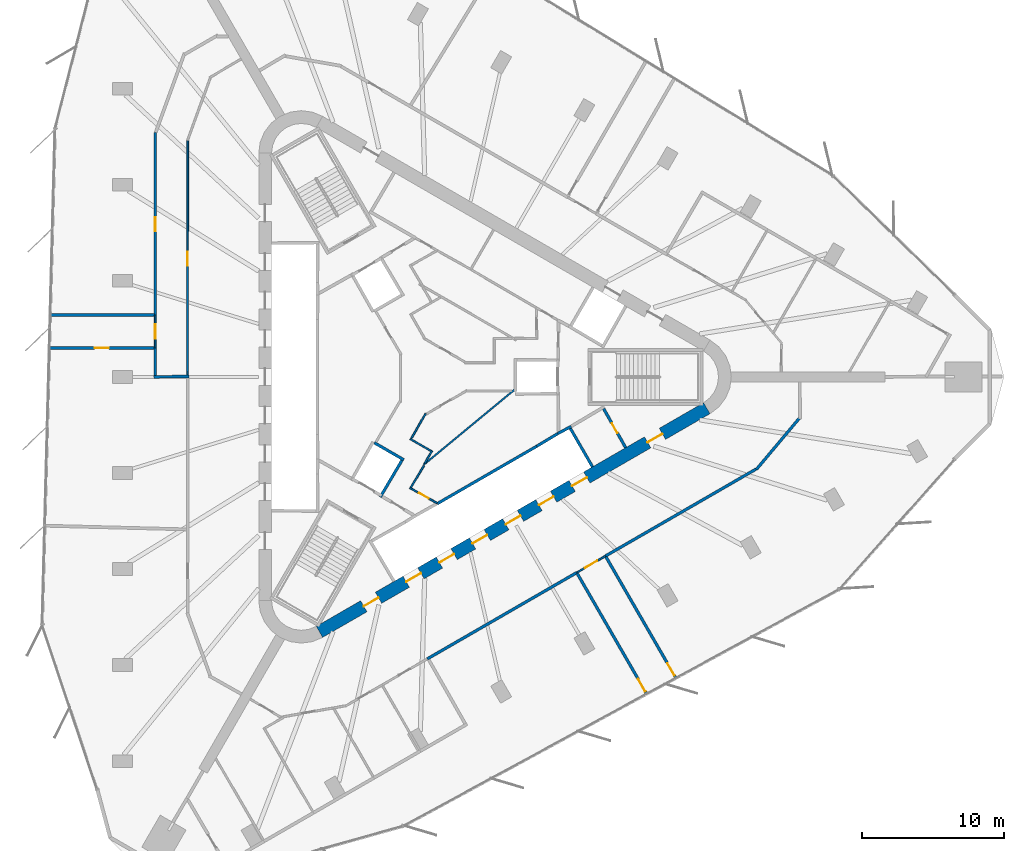
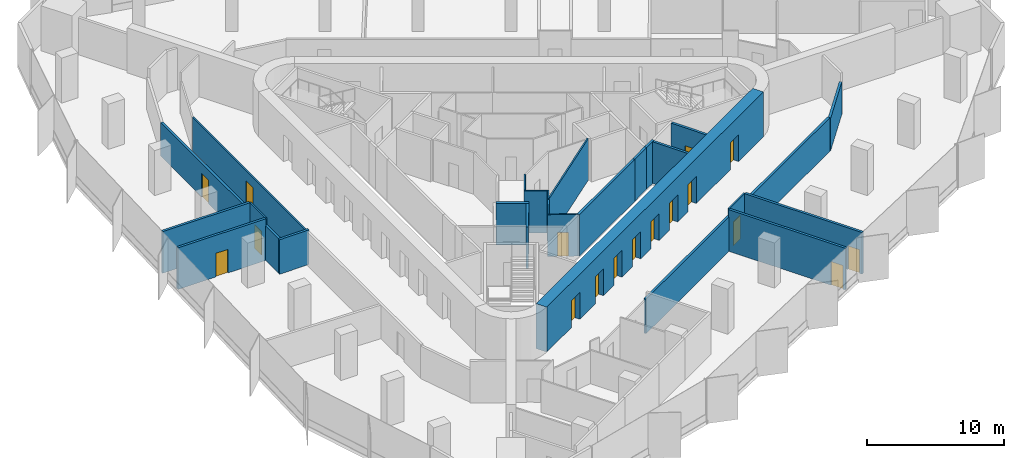
# One storey, part 9 of 14: 27 walls, 17 doors, 17 openings.
"""IFC4 building model written with IfcOpenShell, lengths in metres."""

from ifc_helpers import new_model, si_unit, direction, frame, frame_2d, origin, place, context, subcontext, project, spatial, rectangle, extrude, material, layer, layer_set, type_object, element, fill, save


model = new_model("IFC4")

# Units and contexts
model_context = context("Model", 3, precision=1e-05, world=origin(), true_north=direction((0.0, 1.0)))
body_context = subcontext(model_context, "Body", "Model", "MODEL_VIEW")
ifc_project = project(units=[si_unit("LENGTHUNIT", "METRE"), si_unit("AREAUNIT", "SQUARE_METRE"), si_unit("VOLUMEUNIT", "CUBIC_METRE"), si_unit("PLANEANGLEUNIT", "RADIAN"), si_unit("MASSUNIT", "GRAM", prefix="KILO")], contexts=[model_context])

# Site, building, storey
site_placement = place(None, origin())
site = spatial("IfcSite", under=ifc_project, at=site_placement, CompositionType="ELEMENT")
building_placement = place(site_placement, origin())
building = spatial("IfcBuilding", under=site, at=building_placement, Name="Tanit Gate Tower", CompositionType="ELEMENT")
storey_placement = place(building_placement, frame((0.0, 0.0, 241.199951171875)))
storey = spatial("IfcBuildingStorey", under=building, at=storey_placement, Name="L54", CompositionType="ELEMENT", Elevation=241.199951171875)

# Wall, openings, doors
ifc_material_1 = material(Name="Concrete C50/60", Category="concrete")
ifc_layer_1 = layer(ifc_material_1, 0.89990234375)
ifc_layer_set_1 = layer_set([ifc_layer_1], Name="CORE WALL 900 C50/60")
wall_type_1 = type_object("IfcWallType", Name="CORE WALL 900 C50/60", PredefinedType="SHEAR", material=ifc_layer_set_1)
wall_1_placement = place(storey_placement, frame((-7.824951171875, -17.969970703125, 0.0), z_axis=(0.0, 0.0, 1.0), x_axis=(0.866028369851, 0.499994862586, 0.0)))
wall_1 = element("IfcWall", 1, at=wall_1_placement, inside=storey, type_object=wall_type_1, Name="CORE WALL", PredefinedType="SHEAR", context=body_context, shape_type="SweptSolid", body=[
    extrude(rectangle(XDim=31.523193359375, YDim=0.89990234375, at=frame_2d((15.76171875, 0.0))), origin(), (0.0, 0.0, 1.0), 4.0),
])
opening_1_placement = place(wall_1_placement, frame((7.061767578125, 0.0, 0.0)))
opening_1 = element("IfcOpeningElement", 2, at=opening_1_placement, cuts=wall_1, Name="Opening LDSX1-S15", PredefinedType="OPENING", context=body_context, shape_type="SweptSolid", body=[
    extrude(rectangle(XDim=1.199951171875, YDim=2.39990234375, at=frame_2d((0.60009765625, 1.199951171875))), frame((0.0, 0.4599609375, 0.0), z_axis=(0.0, -1.0, 0.0), x_axis=(1.0, 0.0, 0.0)), (0.0, 0.0, 1.0), 0.919921875),
])
opening_2_placement = place(wall_1_placement, frame((9.76171875, 0.0, 0.0)))
opening_2 = element("IfcOpeningElement", 3, at=opening_2_placement, cuts=wall_1, Name="Opening LDSX2-S15", PredefinedType="OPENING", context=body_context, shape_type="SweptSolid", body=[
    extrude(rectangle(XDim=1.199951171875, YDim=2.39990234375, at=frame_2d((0.60009765625, 1.199951171875))), frame((0.0, 0.4599609375, 0.0), z_axis=(0.0, -1.0, 0.0), x_axis=(1.0, 0.0, 0.0)), (0.0, 0.0, 1.0), 0.919921875),
])
opening_3_placement = place(wall_1_placement, frame((12.461669921875, 0.0, 0.0)))
opening_3 = element("IfcOpeningElement", 4, at=opening_3_placement, cuts=wall_1, Name="Opening LDSX3-S15", PredefinedType="OPENING", context=body_context, shape_type="SweptSolid", body=[
    extrude(rectangle(XDim=1.199951171875, YDim=2.39990234375, at=frame_2d((0.60009765625, 1.199951171875))), frame((0.0, 0.4599609375, 0.0), z_axis=(0.0, -1.0, 0.0), x_axis=(1.0, 0.0, 0.0)), (0.0, 0.0, 1.0), 0.919921875),
])
opening_4_placement = place(wall_1_placement, frame((15.16162109375, 0.0, 0.0)))
opening_4 = element("IfcOpeningElement", 5, at=opening_4_placement, cuts=wall_1, Name="Opening LDSX4-S15", PredefinedType="OPENING", context=body_context, shape_type="SweptSolid", body=[
    extrude(rectangle(XDim=1.199951171875, YDim=2.39990234375, at=frame_2d((0.60009765625, 1.199951171875))), frame((0.0, 0.4599609375, 0.0), z_axis=(0.0, -1.0, 0.0), x_axis=(1.0, 0.0, 0.0)), (0.0, 0.0, 1.0), 0.919921875),
])
opening_5_placement = place(wall_1_placement, frame((17.861572265625, 0.0, 0.0)))
opening_5 = element("IfcOpeningElement", 6, at=opening_5_placement, cuts=wall_1, Name="Opening LDSV1-S15", PredefinedType="OPENING", context=body_context, shape_type="SweptSolid", body=[
    extrude(rectangle(XDim=1.199951171875, YDim=2.39990234375, at=frame_2d((0.60009765625, 1.199951171875))), frame((0.0, 0.4599609375, 0.0), z_axis=(0.0, -1.0, 0.0), x_axis=(1.0, 0.0, 0.0)), (0.0, 0.0, 1.0), 0.919921875),
])
opening_6_placement = place(wall_1_placement, frame((20.561767578125, 0.0, 0.0)))
opening_6 = element("IfcOpeningElement", 7, at=opening_6_placement, cuts=wall_1, Name="Opening LDSV2-S15", PredefinedType="OPENING", context=body_context, shape_type="SweptSolid", body=[
    extrude(rectangle(XDim=1.199951171875, YDim=2.39990234375, at=frame_2d((0.60009765625, 1.199951171875))), frame((0.0, 0.4599609375, 0.0), z_axis=(0.0, -1.0, 0.0), x_axis=(1.0, 0.0, 0.0)), (0.0, 0.0, 1.0), 0.919921875),
])
opening_7_placement = place(wall_1_placement, frame((26.711669921875, 0.0, 0.0)))
opening_7 = element("IfcOpeningElement", 8, at=opening_7_placement, cuts=wall_1, Name="Opening F12-S15-S1", PredefinedType="OPENING", context=body_context, shape_type="SweptSolid", body=[
    extrude(rectangle(XDim=1.199951171875, YDim=2.39990234375, at=frame_2d((0.60009765625, 1.199951171875))), frame((0.0, 0.4599609375, 0.0), z_axis=(0.0, -1.0, 0.0), x_axis=(1.0, 0.0, 0.0)), (0.0, 0.0, 1.0), 0.919921875),
])
opening_8_placement = place(wall_1_placement, frame((3.611572265625, 0.0, 0.0)))
opening_8 = element("IfcOpeningElement", 9, at=opening_8_placement, cuts=wall_1, Name="Opening F12-S15-FL3", PredefinedType="OPENING", context=body_context, shape_type="SweptSolid", body=[
    extrude(rectangle(XDim=1.199951171875, YDim=2.39990234375, at=frame_2d((0.60009765625, 1.199951171875))), frame((0.0, 0.4599609375, 0.0), z_axis=(0.0, -1.0, 0.0), x_axis=(1.0, 0.0, 0.0)), (0.0, 0.0, 1.0), 0.919921875),
])
ifc_material_2 = material(Name="Fire-rated steel door leaf", Category="steel")
door_type_1 = type_object("IfcDoorType", Name="INT-DOOR-FIRE-LOBBY-1200", OperationType="NOTDEFINED", PredefinedType="USERDEFINED", material=ifc_material_2)
door_1_placement = place(opening_7_placement, origin())
door_1 = element("IfcDoor", 10, at=door_1_placement, inside=storey, type_object=door_type_1, Name="Door F12-S15-S1", ObjectType="FIRE DOOR", OperationType="SINGLE_SWING_LEFT", OverallHeight=2.39990234375, OverallWidth=1.199951171875, PredefinedType="USERDEFINED", context=body_context, shape_type="SweptSolid", body=[
    extrude(rectangle(XDim=1.199951171875, YDim=2.39990234375, at=frame_2d((0.60009765625, 1.199951171875))), frame((0.0, 0.02490234375, 0.0), z_axis=(0.0, -1.0, 0.0), x_axis=(1.0, 0.0, 0.0)), (0.0, 0.0, 1.0), 0.050048828125),
])
fill(opening_7, door_1)
door_2_placement = place(opening_8_placement, origin())
door_2 = element("IfcDoor", 11, at=door_2_placement, inside=storey, type_object=door_type_1, Name="Door F12-S15-FL3", ObjectType="FIRE DOOR", OperationType="SINGLE_SWING_RIGHT", OverallHeight=2.39990234375, OverallWidth=1.199951171875, PredefinedType="USERDEFINED", context=body_context, shape_type="SweptSolid", body=[
    extrude(rectangle(XDim=1.199951171875, YDim=2.39990234375, at=frame_2d((0.60009765625, 1.199951171875))), frame((0.0, 0.02490234375, 0.0), z_axis=(0.0, -1.0, 0.0), x_axis=(1.0, 0.0, 0.0)), (0.0, 0.0, 1.0), 0.050048828125),
])
fill(opening_8, door_2)
ifc_material_3 = material(Name="Stainless steel sliding door leaf", Category="steel")
door_type_2 = type_object("IfcDoorType", Name="INT-DOOR-LANDING-1200", OperationType="NOTDEFINED", PredefinedType="USERDEFINED", material=ifc_material_3)
door_3_placement = place(opening_1_placement, origin())
door_3 = element("IfcDoor", 12, at=door_3_placement, inside=storey, type_object=door_type_2, Name="Door LDSX1-S15", ObjectType="LANDING DOOR", OperationType="SLIDING_TO_LEFT", OverallHeight=2.39990234375, OverallWidth=1.199951171875, PredefinedType="USERDEFINED", context=body_context, shape_type="SweptSolid", body=[
    extrude(rectangle(XDim=1.199951171875, YDim=2.39990234375, at=frame_2d((0.60009765625, 1.199951171875))), frame((0.0, 0.02490234375, 0.0), z_axis=(0.0, -1.0, 0.0), x_axis=(1.0, 0.0, 0.0)), (0.0, 0.0, 1.0), 0.050048828125),
])
fill(opening_1, door_3)
door_4_placement = place(opening_2_placement, origin())
door_4 = element("IfcDoor", 13, at=door_4_placement, inside=storey, type_object=door_type_2, Name="Door LDSX2-S15", ObjectType="LANDING DOOR", OperationType="SLIDING_TO_LEFT", OverallHeight=2.39990234375, OverallWidth=1.199951171875, PredefinedType="USERDEFINED", context=body_context, shape_type="SweptSolid", body=[
    extrude(rectangle(XDim=1.199951171875, YDim=2.39990234375, at=frame_2d((0.60009765625, 1.199951171875))), frame((0.0, 0.02490234375, 0.0), z_axis=(0.0, -1.0, 0.0), x_axis=(1.0, 0.0, 0.0)), (0.0, 0.0, 1.0), 0.050048828125),
])
fill(opening_2, door_4)
door_5_placement = place(opening_3_placement, origin())
door_5 = element("IfcDoor", 14, at=door_5_placement, inside=storey, type_object=door_type_2, Name="Door LDSX3-S15", ObjectType="LANDING DOOR", OperationType="SLIDING_TO_LEFT", OverallHeight=2.39990234375, OverallWidth=1.199951171875, PredefinedType="USERDEFINED", context=body_context, shape_type="SweptSolid", body=[
    extrude(rectangle(XDim=1.199951171875, YDim=2.39990234375, at=frame_2d((0.60009765625, 1.199951171875))), frame((0.0, 0.02490234375, 0.0), z_axis=(0.0, -1.0, 0.0), x_axis=(1.0, 0.0, 0.0)), (0.0, 0.0, 1.0), 0.050048828125),
])
fill(opening_3, door_5)
door_6_placement = place(opening_4_placement, origin())
door_6 = element("IfcDoor", 15, at=door_6_placement, inside=storey, type_object=door_type_2, Name="Door LDSX4-S15", ObjectType="LANDING DOOR", OperationType="SLIDING_TO_LEFT", OverallHeight=2.39990234375, OverallWidth=1.199951171875, PredefinedType="USERDEFINED", context=body_context, shape_type="SweptSolid", body=[
    extrude(rectangle(XDim=1.199951171875, YDim=2.39990234375, at=frame_2d((0.60009765625, 1.199951171875))), frame((0.0, 0.02490234375, 0.0), z_axis=(0.0, -1.0, 0.0), x_axis=(1.0, 0.0, 0.0)), (0.0, 0.0, 1.0), 0.050048828125),
])
fill(opening_4, door_6)
door_7_placement = place(opening_5_placement, origin())
door_7 = element("IfcDoor", 16, at=door_7_placement, inside=storey, type_object=door_type_2, Name="Door LDSV1-S15", ObjectType="LANDING DOOR", OperationType="SLIDING_TO_LEFT", OverallHeight=2.39990234375, OverallWidth=1.199951171875, PredefinedType="USERDEFINED", context=body_context, shape_type="SweptSolid", body=[
    extrude(rectangle(XDim=1.199951171875, YDim=2.39990234375, at=frame_2d((0.60009765625, 1.199951171875))), frame((0.0, 0.02490234375, 0.0), z_axis=(0.0, -1.0, 0.0), x_axis=(1.0, 0.0, 0.0)), (0.0, 0.0, 1.0), 0.050048828125),
])
fill(opening_5, door_7)
door_8_placement = place(opening_6_placement, origin())
door_8 = element("IfcDoor", 17, at=door_8_placement, inside=storey, type_object=door_type_2, Name="Door LDSV2-S15", ObjectType="LANDING DOOR", OperationType="SLIDING_TO_LEFT", OverallHeight=2.39990234375, OverallWidth=1.199951171875, PredefinedType="USERDEFINED", context=body_context, shape_type="SweptSolid", body=[
    extrude(rectangle(XDim=1.199951171875, YDim=2.39990234375, at=frame_2d((0.60009765625, 1.199951171875))), frame((0.0, 0.02490234375, 0.0), z_axis=(0.0, -1.0, 0.0), x_axis=(1.0, 0.0, 0.0)), (0.0, 0.0, 1.0), 0.050048828125),
])
fill(opening_6, door_8)

# Wall, opening, door
ifc_material_4 = material(Name="Fire-rated gypsum board partition")
ifc_layer_2 = layer(ifc_material_4, 0.199951171875)
ifc_layer_set_2 = layer_set([ifc_layer_2], Name="INT-WALL-COMPARTMENT")
wall_type_2 = type_object("IfcWallType", Name="INT-WALL-COMPARTMENT", PredefinedType="PARTITIONING", material=ifc_layer_set_2)
wall_2_placement = place(storey_placement, frame((13.758056640625, -4.989501953125, 0.0), z_axis=(0.0, 0.0, 1.0), x_axis=(-0.491993409184, 0.87059892334, 0.0)))
wall_2 = element("IfcWall", 18, at=wall_2_placement, inside=storey, type_object=wall_type_2, Name="Wall Compartment W058", PredefinedType="PARTITIONING", context=body_context, shape_type="SweptSolid", body=[
    extrude(rectangle(XDim=3.150146484375, YDim=0.199951171875, at=frame_2d((1.5751953125, 0.0))), origin(), (0.0, 0.0, 1.0), 3.699951171875),
])
opening_9_placement = place(wall_2_placement, frame((1.175048828125, 0.0, 0.0)))
opening_9 = element("IfcOpeningElement", 19, at=opening_9_placement, cuts=wall_2, Name="Opening R08-S15-17", PredefinedType="OPENING", context=body_context, shape_type="SweptSolid", body=[
    extrude(rectangle(XDim=0.800048828125, YDim=2.10009765625, at=frame_2d((0.39990234375, 1.050048828125))), frame((0.0, 0.10986328125, 0.0), z_axis=(0.0, -1.0, 0.0), x_axis=(1.0, 0.0, 0.0)), (0.0, 0.0, 1.0), 0.219970703125),
])
ifc_material_5 = material(Name="Timber door leaf", Category="wood")
door_type_3 = type_object("IfcDoorType", Name="INT-DOOR-RISER-800", OperationType="NOTDEFINED", PredefinedType="USERDEFINED", material=ifc_material_5)
door_9_placement = place(opening_9_placement, origin())
door_9 = element("IfcDoor", 20, at=door_9_placement, inside=storey, type_object=door_type_3, Name="Door R08-S15-17", ObjectType="FIRE DOOR", OperationType="SINGLE_SWING_RIGHT", OverallHeight=2.10009765625, OverallWidth=0.800048828125, PredefinedType="USERDEFINED", context=body_context, shape_type="SweptSolid", body=[
    extrude(rectangle(XDim=0.800048828125, YDim=2.10009765625, at=frame_2d((0.39990234375, 1.050048828125))), frame((0.0, 0.02490234375, 0.0), z_axis=(0.0, -1.0, 0.0), x_axis=(1.0, 0.0, 0.0)), (0.0, 0.0, 1.0), 0.050048828125),
])
fill(opening_9, door_9)

# Wall
wall_3_placement = place(storey_placement, frame((-19.5, -0.001220703125, 0.0), z_axis=(0.0, 0.0, 1.0), x_axis=(0.999915662945, 0.012987185857, 0.0)))
element("IfcWall", 21, at=wall_3_placement, inside=storey, type_object=wall_type_2, Name="Wall Compartment W092", PredefinedType="PARTITIONING", context=body_context, shape_type="SweptSolid", body=[
    extrude(rectangle(XDim=2.500244140625, YDim=0.199951171875, at=frame_2d((1.25, 0.0))), origin(), (0.0, 0.0, 1.0), 3.070068359375),
])

# Wall, opening, door
wall_4_placement = place(storey_placement, frame((-19.39990234375, 17.228271484375, 0.0), z_axis=(0.0, 0.0, 1.0), x_axis=(0.0, -1.0, 0.0)))
wall_4 = element("IfcWall", 22, at=wall_4_placement, inside=storey, type_object=wall_type_2, Name="Wall Compartment W094", PredefinedType="PARTITIONING", context=body_context, shape_type="SweptSolid", body=[
    extrude(rectangle(XDim=12.878173828125, YDim=0.199951171875, at=frame_2d((6.43896484375, 0.0))), origin(), (0.0, 0.0, 1.0), 2.97998046875),
])
opening_10_placement = place(wall_4_placement, frame((5.97900390625, 0.0, 0.0)))
opening_10 = element("IfcOpeningElement", 23, at=opening_10_placement, cuts=wall_4, Name="Opening F10-S15-33", PredefinedType="OPENING", context=body_context, shape_type="SweptSolid", body=[
    extrude(rectangle(XDim=1.0, YDim=2.10009765625, at=frame_2d((0.5, 1.050048828125))), frame((0.0, 0.10986328125, 0.0), z_axis=(0.0, -1.0, 0.0), x_axis=(1.0, 0.0, 0.0)), (0.0, 0.0, 1.0), 0.219970703125),
])
ifc_material_6 = material(Name="Fire-rated steel door leaf", Category="steel")
door_type_4 = type_object("IfcDoorType", Name="INT-DOOR-FIRE-1000", OperationType="NOTDEFINED", PredefinedType="USERDEFINED", material=ifc_material_6)
door_10_placement = place(opening_10_placement, origin())
door_10 = element("IfcDoor", 24, at=door_10_placement, inside=storey, type_object=door_type_4, Name="Door F10-S15-33", ObjectType="FIRE DOOR", OperationType="SINGLE_SWING_RIGHT", OverallHeight=2.10009765625, OverallWidth=1.0, PredefinedType="USERDEFINED", context=body_context, shape_type="SweptSolid", body=[
    extrude(rectangle(XDim=1.0, YDim=2.10009765625, at=frame_2d((0.5, 1.050048828125))), frame((0.0, 0.02490234375, 0.0), z_axis=(0.0, -1.0, 0.0), x_axis=(1.0, 0.0, 0.0)), (0.0, 0.0, 1.0), 0.050048828125),
])
fill(opening_10, door_10)

# Walls
wall_5_placement = place(storey_placement, frame((-19.39990234375, 2.050048828125, 0.0), z_axis=(0.0, 0.0, 1.0), x_axis=(0.0, -1.0, 0.0)))
element("IfcWall", 25, at=wall_5_placement, inside=storey, type_object=wall_type_2, Name="Wall Compartment W093", PredefinedType="PARTITIONING", context=body_context, shape_type="SweptSolid", body=[
    extrude(rectangle(XDim=1.949951171875, YDim=0.199951171875, at=frame_2d((0.97509765625, 0.0))), origin(), (0.0, 0.0, 1.0), 3.070068359375),
])
wall_6_placement = place(storey_placement, frame((22.968017578125, -6.5244140625, 0.0), z_axis=(0.0, 0.0, 1.0), x_axis=(0.642764400317, 0.766063917493, 0.0)))
element("IfcWall", 26, at=wall_6_placement, inside=storey, type_object=wall_type_2, Name="Wall Compartment W115", PredefinedType="PARTITIONING", context=body_context, shape_type="SweptSolid", body=[
    extrude(rectangle(XDim=4.740234375, YDim=0.199951171875, at=frame_2d((2.3701171875, 0.0))), origin(), (0.0, 0.0, 1.0), 2.880126953125),
])
wall_7_placement = place(storey_placement, frame((-0.222900390625, -19.8740234375, 0.0), z_axis=(0.0, 0.0, 1.0), x_axis=(0.866025366729, 0.500000064182, 0.0)))
element("IfcWall", 27, at=wall_7_placement, inside=storey, type_object=wall_type_2, Name="Wall Compartment W117", PredefinedType="PARTITIONING", context=body_context, shape_type="SweptSolid", body=[
    extrude(rectangle(XDim=12.18017578125, YDim=0.199951171875, at=frame_2d((6.090087890625, 0.0))), origin(), (0.0, 0.0, 1.0), 3.070068359375),
])
wall_8_placement = place(storey_placement, frame((12.317138671875, -12.634033203125, 0.0), z_axis=(0.0, 0.0, 1.0), x_axis=(0.866028561818, 0.499994530085, 0.0)))
element("IfcWall", 28, at=wall_8_placement, inside=storey, type_object=wall_type_2, Name="Wall Compartment W116", PredefinedType="PARTITIONING", context=body_context, shape_type="SweptSolid", body=[
    extrude(rectangle(XDim=12.272705078125, YDim=0.199951171875, at=frame_2d((6.13623046875, 0.0))), origin(), (0.0, 0.0, 1.0), 2.97998046875),
])

# Wall, opening, door
wall_9_placement = place(storey_placement, frame((-26.858154296875, 2.030029296875, 0.0), z_axis=(0.0, 0.0, 1.0), x_axis=(1.0, 0.0, 0.0)))
wall_9 = element("IfcWall", 29, at=wall_9_placement, inside=storey, type_object=wall_type_2, Name="Wall Compartment W123", PredefinedType="PARTITIONING", context=body_context, shape_type="SweptSolid", body=[
    extrude(rectangle(XDim=7.398193359375, YDim=0.199951171875, at=frame_2d((3.69921875, 0.0))), origin(), (0.0, 0.0, 1.0), 3.699951171875),
])
opening_11_placement = place(wall_9_placement, frame((3.198974609375, 0.0, 0.0)))
opening_11 = element("IfcOpeningElement", 30, at=opening_11_placement, cuts=wall_9, Name="Opening F10-S15-32", PredefinedType="OPENING", context=body_context, shape_type="SweptSolid", body=[
    extrude(rectangle(XDim=1.0, YDim=2.10009765625, at=frame_2d((0.5, 1.050048828125))), frame((0.0, 0.10986328125, 0.0), z_axis=(0.0, -1.0, 0.0), x_axis=(1.0, 0.0, 0.0)), (0.0, 0.0, 1.0), 0.219970703125),
])
door_11_placement = place(opening_11_placement, origin())
door_11 = element("IfcDoor", 31, at=door_11_placement, inside=storey, type_object=door_type_4, Name="Door F10-S15-32", ObjectType="FIRE DOOR", OperationType="SINGLE_SWING_LEFT", OverallHeight=2.10009765625, OverallWidth=1.0, PredefinedType="USERDEFINED", context=body_context, shape_type="SweptSolid", body=[
    extrude(rectangle(XDim=1.0, YDim=2.10009765625, at=frame_2d((0.5, 1.050048828125))), frame((0.0, 0.02490234375, 0.0), z_axis=(0.0, -1.0, 0.0), x_axis=(1.0, 0.0, 0.0)), (0.0, 0.0, 1.0), 0.050048828125),
])
fill(opening_11, door_11)

# Wall
wall_10_placement = place(storey_placement, frame((-19.4599609375, 4.3701171875, 0.0), z_axis=(0.0, 0.0, 1.0), x_axis=(-1.0, 0.0, 0.0)))
element("IfcWall", 32, at=wall_10_placement, inside=storey, type_object=wall_type_2, Name="Wall Compartment W124", PredefinedType="PARTITIONING", context=body_context, shape_type="SweptSolid", body=[
    extrude(rectangle(XDim=7.33740234375, YDim=0.199951171875, at=frame_2d((3.668701171875, 0.0))), origin(), (0.0, 0.0, 1.0), 3.699951171875),
])

# Wall, opening, door
wall_11_placement = place(storey_placement, frame((17.296630859375, -21.218505859375, 0.0), z_axis=(0.0, 0.0, 1.0), x_axis=(-0.500009542791, 0.866019894181, 0.0)))
wall_11 = element("IfcWall", 33, at=wall_11_placement, inside=storey, type_object=wall_type_2, Name="Wall Compartment W142", PredefinedType="PARTITIONING", context=body_context, shape_type="SweptSolid", body=[
    extrude(rectangle(XDim=9.864013671875, YDim=0.199951171875, at=frame_2d((4.93212890625, 0.0))), origin(), (0.0, 0.0, 1.0), 3.699951171875),
])
opening_12_placement = place(wall_11_placement, frame((0.199951171875, 0.0, 0.0)))
opening_12 = element("IfcOpeningElement", 34, at=opening_12_placement, cuts=wall_11, Name="Opening F10-S15-37", PredefinedType="OPENING", context=body_context, shape_type="SweptSolid", body=[
    extrude(rectangle(XDim=1.0, YDim=2.10009765625, at=frame_2d((0.5, 1.050048828125))), frame((0.0, 0.10986328125, 0.0), z_axis=(0.0, -1.0, 0.0), x_axis=(1.0, 0.0, 0.0)), (0.0, 0.0, 1.0), 0.219970703125),
])
door_12_placement = place(opening_12_placement, origin())
door_12 = element("IfcDoor", 35, at=door_12_placement, inside=storey, type_object=door_type_4, Name="Door F10-S15-37", ObjectType="FIRE DOOR", OperationType="SINGLE_SWING_LEFT", OverallHeight=2.10009765625, OverallWidth=1.0, PredefinedType="USERDEFINED", context=body_context, shape_type="SweptSolid", body=[
    extrude(rectangle(XDim=1.0, YDim=2.10009765625, at=frame_2d((0.5, 1.050048828125))), frame((0.0, 0.02490234375, 0.0), z_axis=(0.0, -1.0, 0.0), x_axis=(1.0, 0.0, 0.0)), (0.0, 0.0, 1.0), 0.050048828125),
])
fill(opening_12, door_12)

wall_12_placement = place(storey_placement, frame((10.338134765625, -13.845947265625, 0.0), z_axis=(0.0, 0.0, 1.0), x_axis=(0.499993357938, -0.866029238547, 0.0)))
wall_12 = element("IfcWall", 36, at=wall_12_placement, inside=storey, type_object=wall_type_2, Name="Wall Compartment W143", PredefinedType="PARTITIONING", context=body_context, shape_type="SweptSolid", body=[
    extrude(rectangle(XDim=9.803466796875, YDim=0.199951171875, at=frame_2d((4.90185546875, 0.0))), origin(), (0.0, 0.0, 1.0), 3.699951171875),
])
opening_13_placement = place(wall_12_placement, frame((8.603515625, 0.0, 0.0)))
opening_13 = element("IfcOpeningElement", 37, at=opening_13_placement, cuts=wall_12, Name="Opening F10-S15-38", PredefinedType="OPENING", context=body_context, shape_type="SweptSolid", body=[
    extrude(rectangle(XDim=1.0, YDim=2.10009765625, at=frame_2d((0.5, 1.050048828125))), frame((0.0, 0.10986328125, 0.0), z_axis=(0.0, -1.0, 0.0), x_axis=(1.0, 0.0, 0.0)), (0.0, 0.0, 1.0), 0.219970703125),
])
door_13_placement = place(opening_13_placement, origin())
door_13 = element("IfcDoor", 38, at=door_13_placement, inside=storey, type_object=door_type_4, Name="Door F10-S15-38", ObjectType="FIRE DOOR", OperationType="SINGLE_SWING_LEFT", OverallHeight=2.10009765625, OverallWidth=1.0, PredefinedType="USERDEFINED", context=body_context, shape_type="SweptSolid", body=[
    extrude(rectangle(XDim=1.0, YDim=2.10009765625, at=frame_2d((0.5, 1.050048828125))), frame((0.0, 0.02490234375, 0.0), z_axis=(0.0, -1.0, 0.0), x_axis=(1.0, 0.0, 0.0)), (0.0, 0.0, 1.0), 0.050048828125),
])
fill(opening_13, door_13)

# Walls
ifc_material_7 = material(Name="Gypsum board partition")
ifc_layer_3 = layer(ifc_material_7, 0.1201171875)
ifc_layer_set_3 = layer_set([ifc_layer_3], Name="INT-WALL-PARTITION")
wall_type_3 = type_object("IfcWallType", Name="INT-WALL-PARTITION", PredefinedType="PARTITIONING", material=ifc_layer_set_3)
wall_13_placement = place(storey_placement, frame((5.935546875, -0.893798828125, 0.0), z_axis=(0.0, 0.0, 1.0), x_axis=(-0.770832870475, -0.637037428881, 0.0)))
element("IfcWall", 39, at=wall_13_placement, inside=storey, type_object=wall_type_3, Name="Wall Partition W068", PredefinedType="PARTITIONING", context=body_context, shape_type="SweptSolid", body=[
    extrude(rectangle(XDim=8.331787109375, YDim=0.1201171875, at=frame_2d((4.166015625, 0.0))), origin(), (0.0, 0.0, 1.0), 3.699951171875),
])
wall_14_placement = place(storey_placement, frame((-0.41064453125, -6.111328125, 0.0), z_axis=(0.0, 0.0, 1.0), x_axis=(0.49986229611, 0.866104892567, 0.0)))
element("IfcWall", 40, at=wall_14_placement, inside=storey, type_object=wall_type_3, Name="Wall Partition W069", PredefinedType="PARTITIONING", context=body_context, shape_type="SweptSolid", body=[
    extrude(rectangle(XDim=1.057861328125, YDim=0.1201171875, at=frame_2d((0.52880859375, 0.0))), origin(), (0.0, 0.0, 1.0), 3.699951171875),
])
wall_15_placement = place(storey_placement, frame((-1.43603515625, -4.3671875, 0.0), z_axis=(0.0, 0.0, 1.0), x_axis=(0.866087547558, -0.499892348375, 0.0)))
element("IfcWall", 41, at=wall_15_placement, inside=storey, type_object=wall_type_3, Name="Wall Partition W070", PredefinedType="PARTITIONING", context=body_context, shape_type="SweptSolid", body=[
    extrude(rectangle(XDim=1.699951171875, YDim=0.1201171875, at=frame_2d((0.85009765625, 0.0))), origin(), (0.0, 0.0, 1.0), 3.699951171875),
])
wall_16_placement = place(storey_placement, frame((-0.337646484375, -2.5849609375, 0.0), z_axis=(0.0, 0.0, 1.0), x_axis=(-0.50002743572, -0.866009563185, 0.0)))
element("IfcWall", 42, at=wall_16_placement, inside=storey, type_object=wall_type_3, Name="Wall Partition W071", PredefinedType="PARTITIONING", context=body_context, shape_type="SweptSolid", body=[
    extrude(rectangle(XDim=2.03271484375, YDim=0.1201171875, at=frame_2d((1.016357421875, 0.0))), origin(), (0.0, 0.0, 1.0), 3.699951171875),
])

# Wall, opening, door
wall_17_placement = place(storey_placement, frame((-1.464111328125, -7.81591796875, 0.0), z_axis=(0.0, 0.0, 1.0), x_axis=(0.871880202732, -0.489719217597, 0.0)))
wall_17 = element("IfcWall", 43, at=wall_17_placement, inside=storey, type_object=wall_type_3, Name="Wall Partition W074", PredefinedType="PARTITIONING", context=body_context, shape_type="SweptSolid", body=[
    extrude(rectangle(XDim=2.224365234375, YDim=0.1201171875, at=frame_2d((1.1123046875, 0.0))), origin(), (0.0, 0.0, 1.0), 3.699951171875),
])
opening_14_placement = place(wall_17_placement, frame((0.7421875, 0.0, 0.0)))
opening_14 = element("IfcOpeningElement", 44, at=opening_14_placement, cuts=wall_17, Name="Opening R08-S15-12", PredefinedType="OPENING", context=body_context, shape_type="SweptSolid", body=[
    extrude(rectangle(XDim=0.800048828125, YDim=2.10009765625, at=frame_2d((0.39990234375, 1.050048828125))), frame((0.0, 0.070068359375, 0.0), z_axis=(0.0, -1.0, 0.0), x_axis=(1.0, 0.0, 0.0)), (0.0, 0.0, 1.0), 0.14013671875),
])
door_14_placement = place(opening_14_placement, origin())
door_14 = element("IfcDoor", 45, at=door_14_placement, inside=storey, type_object=door_type_3, Name="Door R08-S15-12", ObjectType="FIRE DOOR", OperationType="SINGLE_SWING_LEFT", OverallHeight=2.10009765625, OverallWidth=0.800048828125, PredefinedType="USERDEFINED", context=body_context, shape_type="SweptSolid", body=[
    extrude(rectangle(XDim=0.800048828125, YDim=2.10009765625, at=frame_2d((0.39990234375, 1.050048828125))), frame((0.0, 0.02490234375, 0.0), z_axis=(0.0, -1.0, 0.0), x_axis=(1.0, 0.0, 0.0)), (0.0, 0.0, 1.0), 0.050048828125),
])
fill(opening_14, door_14)

# Wall
wall_18_placement = place(storey_placement, frame((-0.46337890625, -6.256591796875, 0.0), z_axis=(0.0, 0.0, 1.0), x_axis=(-0.512528878122, -0.858669988466, 0.0)))
element("IfcWall", 46, at=wall_18_placement, inside=storey, type_object=wall_type_3, Name="Wall Partition W075", PredefinedType="PARTITIONING", context=body_context, shape_type="SweptSolid", body=[
    extrude(rectangle(XDim=1.7900390625, YDim=0.1201171875, at=frame_2d((0.89501953125, 0.0))), origin(), (0.0, 0.0, 1.0), 3.699951171875),
])

# Wall, opening, door
wall_19_placement = place(storey_placement, frame((-17.1298828125, 0.0, 0.0), z_axis=(0.0, 0.0, 1.0), x_axis=(0.001787542932, 0.999998402344, 0.0)))
wall_19 = element("IfcWall", 47, at=wall_19_placement, inside=storey, type_object=wall_type_3, Name="Wall Partition W090", PredefinedType="PARTITIONING", context=body_context, shape_type="SweptSolid", body=[
    extrude(rectangle(XDim=16.66259765625, YDim=0.1201171875, at=frame_2d((8.331298828125, 0.0))), origin(), (0.0, 0.0, 1.0), 2.97998046875),
])
opening_15_placement = place(wall_19_placement, frame((7.831298828125, 0.0, 0.0)))
opening_15 = element("IfcOpeningElement", 48, at=opening_15_placement, cuts=wall_19, Name="Opening D10-S15-18", PredefinedType="OPENING", context=body_context, shape_type="SweptSolid", body=[
    extrude(rectangle(XDim=1.0, YDim=2.10009765625, at=frame_2d((0.5, 1.050048828125))), frame((0.0, 0.070068359375, 0.0), z_axis=(0.0, -1.0, 0.0), x_axis=(1.0, 0.0, 0.0)), (0.0, 0.0, 1.0), 0.14013671875),
])
ifc_material_8 = material(Name="Timber door leaf", Category="wood")
door_type_5 = type_object("IfcDoorType", Name="INT-DOOR-SINGLE-1000", OperationType="NOTDEFINED", PredefinedType="NOTDEFINED", material=ifc_material_8)
door_15_placement = place(opening_15_placement, origin())
door_15 = element("IfcDoor", 49, at=door_15_placement, inside=storey, type_object=door_type_5, Name="Door D10-S15-18", OperationType="SINGLE_SWING_RIGHT", OverallHeight=2.10009765625, OverallWidth=1.0, PredefinedType="NOTDEFINED", context=body_context, shape_type="SweptSolid", body=[
    extrude(rectangle(XDim=1.0, YDim=2.10009765625, at=frame_2d((0.5, 1.050048828125))), frame((0.0, 0.02490234375, 0.0), z_axis=(0.0, -1.0, 0.0), x_axis=(1.0, 0.0, 0.0)), (0.0, 0.0, 1.0), 0.050048828125),
])
fill(opening_15, door_15)

wall_20_placement = place(storey_placement, frame((-19.39990234375, 4.35009765625, 0.0), z_axis=(0.0, 0.0, 1.0), x_axis=(0.0, -1.0, 0.0)))
wall_20 = element("IfcWall", 50, at=wall_20_placement, inside=storey, type_object=wall_type_3, Name="Wall Partition W091", PredefinedType="PARTITIONING", context=body_context, shape_type="SweptSolid", body=[
    extrude(rectangle(XDim=2.300048828125, YDim=0.1201171875, at=frame_2d((1.14990234375, 0.0))), origin(), (0.0, 0.0, 1.0), 3.699951171875),
])
opening_16_placement = place(wall_20_placement, frame((0.64990234375, 0.0, 0.0)))
opening_16 = element("IfcOpeningElement", 51, at=opening_16_placement, cuts=wall_20, Name="Opening D10-S15-19", PredefinedType="OPENING", context=body_context, shape_type="SweptSolid", body=[
    extrude(rectangle(XDim=1.0, YDim=2.10009765625, at=frame_2d((0.5, 1.050048828125))), frame((0.0, 0.070068359375, 0.0), z_axis=(0.0, -1.0, 0.0), x_axis=(1.0, 0.0, 0.0)), (0.0, 0.0, 1.0), 0.14013671875),
])
door_16_placement = place(opening_16_placement, origin())
door_16 = element("IfcDoor", 52, at=door_16_placement, inside=storey, type_object=door_type_5, Name="Door D10-S15-19", OperationType="SINGLE_SWING_LEFT", OverallHeight=2.10009765625, OverallWidth=1.0, PredefinedType="NOTDEFINED", context=body_context, shape_type="SweptSolid", body=[
    extrude(rectangle(XDim=1.0, YDim=2.10009765625, at=frame_2d((0.5, 1.050048828125))), frame((0.0, 0.02490234375, 0.0), z_axis=(0.0, -1.0, 0.0), x_axis=(1.0, 0.0, 0.0)), (0.0, 0.0, 1.0), 0.050048828125),
])
fill(opening_16, door_16)

wall_21_placement = place(storey_placement, frame((12.317138671875, -12.634033203125, 0.0), z_axis=(0.0, 0.0, 1.0), x_axis=(-0.86602648383, -0.499998129301, 0.0)))
wall_21 = element("IfcWall", 53, at=wall_21_placement, inside=storey, type_object=wall_type_3, Name="Wall Partition W113", PredefinedType="PARTITIONING", context=body_context, shape_type="SweptSolid", body=[
    extrude(rectangle(XDim=2.2998046875, YDim=0.1201171875, at=frame_2d((1.14990234375, 0.0))), origin(), (0.0, 0.0, 1.0), 3.699951171875),
])
opening_17_placement = place(wall_21_placement, frame((0.64990234375, 0.0, 0.0)))
opening_17 = element("IfcOpeningElement", 54, at=opening_17_placement, cuts=wall_21, Name="Opening D10-S15-21", PredefinedType="OPENING", context=body_context, shape_type="SweptSolid", body=[
    extrude(rectangle(XDim=1.0, YDim=2.10009765625, at=frame_2d((0.5, 1.050048828125))), frame((0.0, 0.070068359375, 0.0), z_axis=(0.0, -1.0, 0.0), x_axis=(1.0, 0.0, 0.0)), (0.0, 0.0, 1.0), 0.14013671875),
])
door_17_placement = place(opening_17_placement, origin())
door_17 = element("IfcDoor", 55, at=door_17_placement, inside=storey, type_object=door_type_5, Name="Door D10-S15-21", OperationType="SINGLE_SWING_RIGHT", OverallHeight=2.10009765625, OverallWidth=1.0, PredefinedType="NOTDEFINED", context=body_context, shape_type="SweptSolid", body=[
    extrude(rectangle(XDim=1.0, YDim=2.10009765625, at=frame_2d((0.5, 1.050048828125))), frame((0.0, 0.02490234375, 0.0), z_axis=(0.0, -1.0, 0.0), x_axis=(1.0, 0.0, 0.0)), (0.0, 0.0, 1.0), 0.050048828125),
])
fill(opening_17, door_17)

# Walls
ifc_material_9 = material(Name="Gypsum shaft wall system")
ifc_layer_4 = layer(ifc_material_9, 0.199951171875)
ifc_layer_set_4 = layer_set([ifc_layer_4], Name="INT-WALL-SHAFT")
wall_type_4 = type_object("IfcWallType", Name="INT-WALL-SHAFT", PredefinedType="PLUMBINGWALL", material=ifc_layer_set_4)
wall_22_placement = place(storey_placement, frame((0.482666015625, -8.935791015625, 0.0), z_axis=(0.0, 0.0, 1.0), x_axis=(0.866030989016, 0.499990325971, 0.0)))
element("IfcWall", 56, at=wall_22_placement, inside=storey, type_object=wall_type_4, Name="Wall Shaft W023", PredefinedType="PLUMBINGWALL", context=body_context, shape_type="SweptSolid", body=[
    extrude(rectangle(XDim=8.099853515625, YDim=0.199951171875, at=frame_2d((4.0498046875, 0.0))), origin(), (0.0, 0.0, 1.0), 3.699951171875),
])
wall_23_placement = place(storey_placement, frame((9.794677734375, -3.52490234375, 0.0), z_axis=(0.0, 0.0, 1.0), x_axis=(0.499984717929, -0.866034226713, 0.0)))
element("IfcWall", 57, at=wall_23_placement, inside=storey, type_object=wall_type_4, Name="Wall Shaft W016", PredefinedType="PLUMBINGWALL", context=body_context, shape_type="SweptSolid", body=[
    extrude(rectangle(XDim=3.25, YDim=0.199951171875, at=frame_2d((1.625, 0.0))), origin(), (0.0, 0.0, 1.0), 3.699951171875),
])
wall_24_placement = place(storey_placement, frame((8.97412109375, -3.998779296875, 0.0), z_axis=(0.0, 0.0, 1.0), x_axis=(0.880907015104, 0.473289373154, 0.0)))
element("IfcWall", 58, at=wall_24_placement, inside=storey, type_object=wall_type_4, Name="Wall Shaft W017", PredefinedType="PLUMBINGWALL", context=body_context, shape_type="SweptSolid", body=[
    extrude(rectangle(XDim=1.078125, YDim=0.199951171875, at=frame_2d((0.5390625, 0.0))), origin(), (0.0, 0.0, 1.0), 3.699951171875),
])
wall_25_placement = place(storey_placement, frame((7.497314453125, -4.885986328125, 0.0), z_axis=(0.0, 0.0, 1.0), x_axis=(0.857516281273, 0.51445682749, 0.0)))
element("IfcWall", 59, at=wall_25_placement, inside=storey, type_object=wall_type_4, Name="Wall Shaft W018", PredefinedType="PLUMBINGWALL", context=body_context, shape_type="SweptSolid", body=[
    extrude(rectangle(XDim=1.8447265625, YDim=0.199951171875, at=frame_2d((0.92236328125, 0.0))), origin(), (0.0, 0.0, 1.0), 3.699951171875),
])
wall_26_placement = place(storey_placement, frame((-3.95654296875, -4.643798828125, 0.0), z_axis=(0.0, 0.0, 1.0), x_axis=(0.865991127953, -0.500059362782, 0.0)))
element("IfcWall", 60, at=wall_26_placement, inside=storey, type_object=wall_type_4, Name="Wall Shaft W047", PredefinedType="PLUMBINGWALL", context=body_context, shape_type="SweptSolid", body=[
    extrude(rectangle(XDim=2.404541015625, YDim=0.199951171875, at=frame_2d((1.2021484375, 0.0))), origin(), (0.0, 0.0, 1.0), 3.699951171875),
])
wall_27_placement = place(storey_placement, frame((-2.01171875, -5.88232421875, 0.0), z_axis=(0.0, 0.0, 1.0), x_axis=(-0.508619639323, -0.860991325447, 0.0)))
element("IfcWall", 61, at=wall_27_placement, inside=storey, type_object=wall_type_4, Name="Wall Shaft W048", PredefinedType="PLUMBINGWALL", context=body_context, shape_type="SweptSolid", body=[
    extrude(rectangle(XDim=3.0, YDim=0.199951171875, at=frame_2d((1.5, 0.0))), origin(), (0.0, 0.0, 1.0), 3.699951171875),
])

save(model, "model.ifc")
